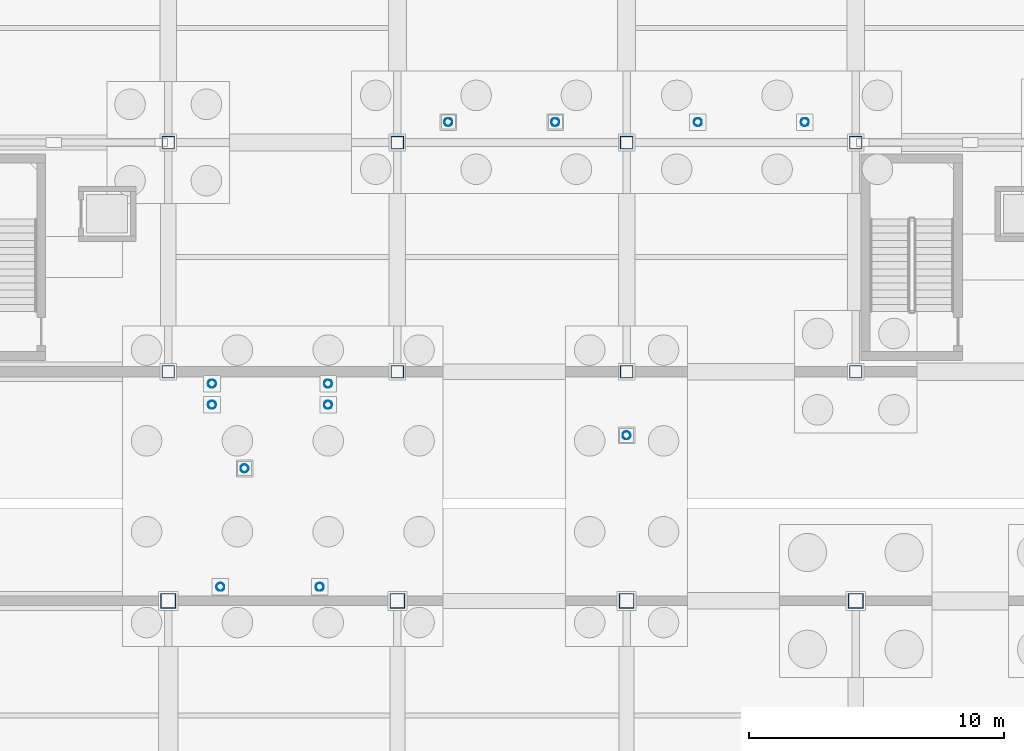
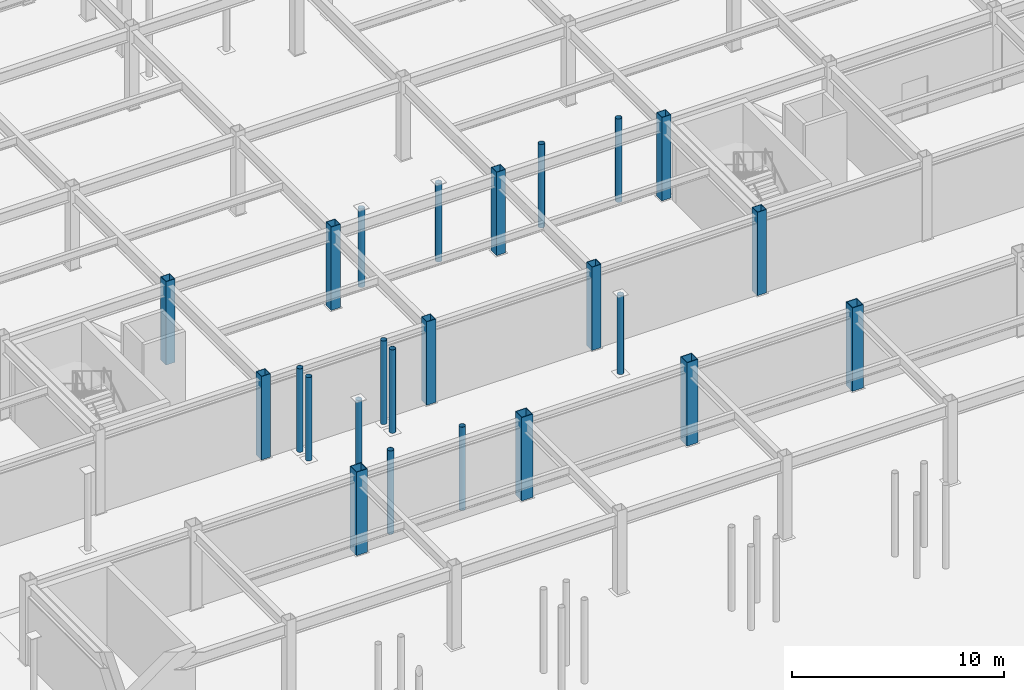
# One storey, part 28 of 74: 24 columns.
"""IFC4 building model written with IfcOpenShell, lengths in metres."""

from ifc_helpers import new_model, si_unit, direction, frame, origin, origin_2d, place, context, subcontext, project, spatial, hollow_rectangle, hollow_circle, extrude, material, material_profile, profile_set, type_object, element, save


model = new_model("IFC4")

# Units and contexts
model_context = context("Model", 3, precision=1e-05, world=origin(), true_north=direction((0.0, 1.0)))
body_context = subcontext(model_context, "Body", "Model", "MODEL_VIEW")
ifc_project = project(units=[si_unit("LENGTHUNIT", "METRE"), si_unit("AREAUNIT", "SQUARE_METRE"), si_unit("VOLUMEUNIT", "CUBIC_METRE"), si_unit("PLANEANGLEUNIT", "RADIAN"), si_unit("MASSUNIT", "GRAM", prefix="KILO")], contexts=[model_context])

# Site, building, storey
site_placement = place(None, origin())
site = spatial("IfcSite", under=ifc_project, at=site_placement, CompositionType="ELEMENT")
building_placement = place(site_placement, origin())
building = spatial("IfcBuilding", under=site, at=building_placement, Name="Suzunagisa Mobility Hub", CompositionType="ELEMENT")
storey_placement = place(building_placement, frame((0.0, 0.0, -4.800048828125)))
storey = spatial("IfcBuildingStorey", under=building, at=storey_placement, Name="B1", CompositionType="ELEMENT", Elevation=-4.800048828125)

# Columns
ifc_material = material(Name="Steel SN490B", Category="steel")
ifc_material_profile_1 = material_profile(ifc_material, hollow_rectangle(XDim=0.60009765625, YDim=0.60009765625, WallThickness=0.031982421875, at=origin_2d()), Name="BOX-600x600x32")
ifc_profile_set_1 = profile_set([ifc_material_profile_1], Name="Steel SN490B")
column_type_1 = type_object("IfcColumnType", Name="Steel Column CL-05 BOX-600x600x32", PredefinedType="COLUMN", material=ifc_profile_set_1)
for number, where, z_axis, x_axis, name in (
    (1, (63.0, 71.0, 0.0), (0.0, 0.0, 1.0), (1.0, 0.0, 0.0), "B1 Column 137"),
    (2, (72.0, 71.0, 0.0), (0.0, 0.0, 1.0), (1.0, 0.0, 0.0), "B1 Column 153"),
    (3, (81.0, 71.0, 0.0), (0.0, 0.0, 1.0), (1.0, 0.0, 0.0), "B1 Column 169"),
    (4, (90.0, 71.0, 0.0), (0.0, 0.0, 1.0), (1.0, 0.0, 0.0), "B1 Column 185"),
):
    element("IfcColumn", number, at=place(storey_placement, frame(where, z_axis=z_axis, x_axis=x_axis)), inside=storey, type_object=column_type_1, Name=name, PredefinedType="COLUMN", context=body_context, shape_type="SweptSolid", body=[
        extrude(hollow_rectangle(XDim=0.60009765625, YDim=0.60009765625, WallThickness=0.031982421875, at=origin_2d()), origin(), (0.0, 0.0, 1.0), 4.800048828125),
    ])
ifc_material_profile_2 = material_profile(ifc_material, hollow_circle(Radius=0.1591796875, WallThickness=0.01025390625, at=origin_2d()), Name="CHS-318.5x10.3")
ifc_profile_set_2 = profile_set([ifc_material_profile_2], Name="Steel SN490B")
column_type_2 = type_object("IfcColumnType", Name="Steel Column CL-09 CHS-318.5x10.3", PredefinedType="COLUMN", material=ifc_profile_set_2)
for number, where, z_axis, x_axis, name in (
    (5, (64.719970703125, 78.699951171875, 0.0), (0.0, 0.0, 1.0), (1.0, 0.0, 0.0), "B1 Column 143"),
    (6, (64.719970703125, 79.530029296875, 0.0), (0.0, 0.0, 1.0), (1.0, 0.0, 0.0), "B1 Column 144"),
    (7, (65.050048828125, 71.550048828125, 0.0), (0.0, 0.0, 1.0), (1.0, 0.0, 0.0), "B1 Column 145"),
):
    element("IfcColumn", number, at=place(storey_placement, frame(where, z_axis=z_axis, x_axis=x_axis)), inside=storey, type_object=column_type_2, Name=name, PredefinedType="COLUMN", context=body_context, shape_type="SweptSolid", body=[
        extrude(hollow_circle(Radius=0.1591796875, WallThickness=0.01025390625, at=origin_2d()), origin(), (0.0, 0.0, 1.0), 4.800048828125),
    ])
column_1_placement = place(storey_placement, frame((66.0, 76.199951171875, 0.0), z_axis=(0.0, 0.0, 1.0), x_axis=(1.0, 0.0, 0.0)))
element("IfcColumn", 8, at=column_1_placement, inside=storey, type_object=column_type_2, Name="B1 Column 146", PredefinedType="COLUMN", context=body_context, shape_type="SweptSolid", body=[
    extrude(hollow_circle(Radius=0.1591796875, WallThickness=0.01025390625, at=origin_2d()), origin(), (0.0, 0.0, 1.0), 4.554931640625),
])
for number, where, z_axis, x_axis, name in (
    (9, (68.949951171875, 71.550048828125, 0.0), (0.0, 0.0, 1.0), (1.0, 0.0, 0.0), "B1 Column 147"),
    (10, (69.280029296875, 78.699951171875, 0.0), (0.0, 0.0, 1.0), (1.0, 0.0, 0.0), "B1 Column 148"),
    (11, (69.280029296875, 79.530029296875, 0.0), (0.0, 0.0, 1.0), (1.0, 0.0, 0.0), "B1 Column 149"),
):
    element("IfcColumn", number, at=place(storey_placement, frame(where, z_axis=z_axis, x_axis=x_axis)), inside=storey, type_object=column_type_2, Name=name, PredefinedType="COLUMN", context=body_context, shape_type="SweptSolid", body=[
        extrude(hollow_circle(Radius=0.1591796875, WallThickness=0.01025390625, at=origin_2d()), origin(), (0.0, 0.0, 1.0), 4.800048828125),
    ])
for number, where, z_axis, x_axis, name in (
    (12, (74.0, 89.800048828125, 0.0), (0.0, 0.0, 1.0), (1.0, 0.0, 0.0), "B1 Column 161"),
    (13, (78.199951171875, 89.800048828125, 0.0), (0.0, 0.0, 1.0), (1.0, 0.0, 0.0), "B1 Column 163"),
):
    element("IfcColumn", number, at=place(storey_placement, frame(where, z_axis=z_axis, x_axis=x_axis)), inside=storey, type_object=column_type_2, Name=name, PredefinedType="COLUMN", context=body_context, shape_type="SweptSolid", body=[
        extrude(hollow_circle(Radius=0.1591796875, WallThickness=0.01025390625, at=origin_2d()), origin(), (0.0, 0.0, 1.0), 4.52001953125),
    ])
column_2_placement = place(storey_placement, frame((81.0, 77.5, 0.0), z_axis=(0.0, 0.0, 1.0), x_axis=(1.0, 0.0, 0.0)))
element("IfcColumn", 14, at=column_2_placement, inside=storey, type_object=column_type_2, Name="B1 Column 170", PredefinedType="COLUMN", context=body_context, shape_type="SweptSolid", body=[
    extrude(hollow_circle(Radius=0.1591796875, WallThickness=0.01025390625, at=origin_2d()), origin(), (0.0, 0.0, 1.0), 4.554931640625),
])
for number, where, z_axis, x_axis, name in (
    (15, (83.800048828125, 89.800048828125, 0.0), (0.0, 0.0, 1.0), (1.0, 0.0, 0.0), "B1 Column 176"),
    (16, (88.0, 89.800048828125, 0.0), (0.0, 0.0, 1.0), (1.0, 0.0, 0.0), "B1 Column 178"),
):
    element("IfcColumn", number, at=place(storey_placement, frame(where, z_axis=z_axis, x_axis=x_axis)), inside=storey, type_object=column_type_2, Name=name, PredefinedType="COLUMN", context=body_context, shape_type="SweptSolid", body=[
        extrude(hollow_circle(Radius=0.1591796875, WallThickness=0.01025390625, at=origin_2d()), origin(), (0.0, 0.0, 1.0), 4.800048828125),
    ])
ifc_material_profile_3 = material_profile(ifc_material, hollow_rectangle(XDim=0.5, YDim=0.5, WallThickness=0.02490234375, at=origin_2d()), Name="BCR-500x500x25")
ifc_profile_set_3 = profile_set([ifc_material_profile_3], Name="Steel SN490B")
column_type_3 = type_object("IfcColumnType", Name="Steel Column CL-11 BCR-500x500x25", PredefinedType="COLUMN", material=ifc_profile_set_3)
for number, where, z_axis, x_axis, name in (
    (17, (63.0, 80.0, 0.0), (0.0, 0.0, 1.0), (1.0, 0.0, 0.0), "B1 Column 138"),
    (18, (63.0, 89.0, 0.0), (0.0, 0.0, 1.0), (1.0, 0.0, 0.0), "B1 Column 139"),
    (19, (72.0, 80.0, 0.0), (0.0, 0.0, 1.0), (1.0, 0.0, 0.0), "B1 Column 154"),
    (20, (72.0, 89.0, 0.0), (0.0, 0.0, 1.0), (1.0, 0.0, 0.0), "B1 Column 155"),
    (21, (81.0, 80.0, 0.0), (0.0, 0.0, 1.0), (1.0, 0.0, 0.0), "B1 Column 171"),
    (22, (81.0, 89.0, 0.0), (0.0, 0.0, 1.0), (1.0, 0.0, 0.0), "B1 Column 172"),
    (23, (90.0, 80.0, 0.0), (0.0, 0.0, 1.0), (1.0, 0.0, 0.0), "B1 Column 186"),
    (24, (90.0, 89.0, 0.0), (0.0, 0.0, 1.0), (1.0, 0.0, 0.0), "B1 Column 187"),
):
    element("IfcColumn", number, at=place(storey_placement, frame(where, z_axis=z_axis, x_axis=x_axis)), inside=storey, type_object=column_type_3, Name=name, PredefinedType="COLUMN", context=body_context, shape_type="SweptSolid", body=[
        extrude(hollow_rectangle(XDim=0.5, YDim=0.5, WallThickness=0.02490234375, at=origin_2d()), origin(), (0.0, 0.0, 1.0), 4.800048828125),
    ])

save(model, "model.ifc")
